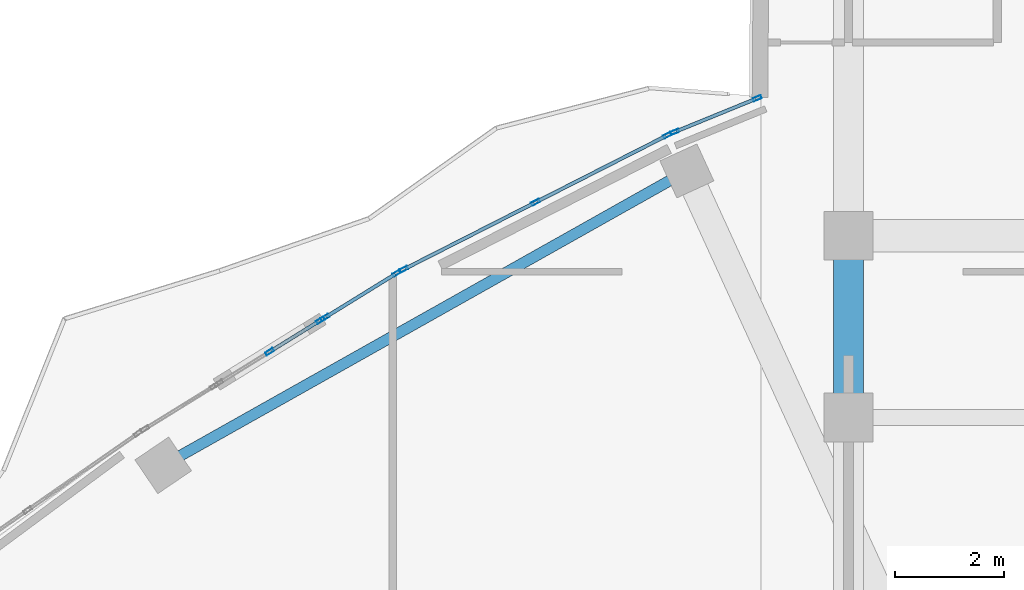
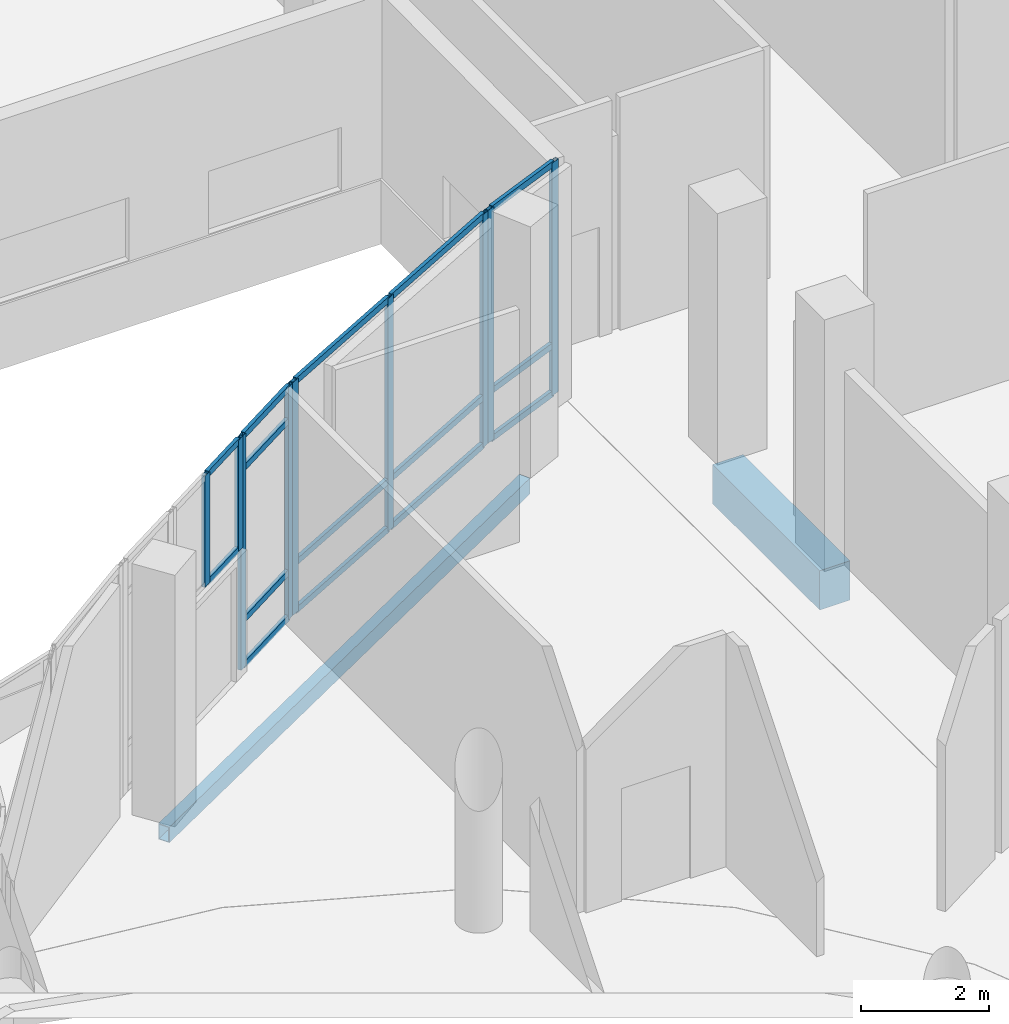
# One storey, part 90 of 168: 24 members, 2 beams, 4 elements without a shape of their own.
"""IFC4 building model written with IfcOpenShell, lengths in metres."""

from ifc_helpers import new_model, si_unit, direction, frame, origin, origin_2d, place, context, subcontext, project, spatial, rectangle, hollow_rectangle, extrude, material, material_profile, profile_set, type_object, element, aggregate, save


model = new_model("IFC4")

# Units and contexts
model_context = context("Model", 3, precision=1e-05, world=origin(), true_north=direction((0.0, 1.0)))
body_context = subcontext(model_context, "Body", "Model", "MODEL_VIEW")
ifc_project = project(units=[si_unit("LENGTHUNIT", "METRE"), si_unit("AREAUNIT", "SQUARE_METRE"), si_unit("VOLUMEUNIT", "CUBIC_METRE"), si_unit("PLANEANGLEUNIT", "RADIAN"), si_unit("MASSUNIT", "GRAM", prefix="KILO")], contexts=[model_context])

# Site, building, storey
site_placement = place(None, origin())
site = spatial("IfcSite", under=ifc_project, at=site_placement, CompositionType="ELEMENT")
building_placement = place(site_placement, origin())
building = spatial("IfcBuilding", under=site, at=building_placement, Name="Selatvlak General Hospital", CompositionType="ELEMENT")
storey_placement = place(building_placement, frame((0.0, 0.0, 5.39990234375)))
storey = spatial("IfcBuildingStorey", under=building, at=storey_placement, Name="L01", CompositionType="ELEMENT", Elevation=5.39990234375)

# Beams
ifc_material_1 = material(Name="Concrete C40/50", Category="concrete")
ifc_material_profile_1 = material_profile(ifc_material_1, rectangle(XDim=0.550048828125, YDim=0.75, at=origin_2d()), Name="RC-BM 550x750")
ifc_profile_set_1 = profile_set([ifc_material_profile_1], Name="Concrete C40/50")
beam_type_1 = type_object("IfcBeamType", Name="BM-G02", PredefinedType="BEAM", material=ifc_profile_set_1)
beam_1_placement = place(storey_placement, frame((115.199951171875, 72.64990234375, -0.69482421875), z_axis=(0.0, 1.0, 0.0), x_axis=(-1.0, 0.0, 0.0)))
element("IfcBeam", 1, at=beam_1_placement, inside=storey, type_object=beam_type_1, Name="Beam BMR-L01-0617", PredefinedType="BEAM", context=body_context, shape_type="SweptSolid", body=[
    extrude(rectangle(XDim=0.550048828125, YDim=0.75, at=origin_2d()), origin(), (0.0, 0.0, 1.0), 3.35009765625),
])
ifc_material_2 = material(Name="Steel S355", Category="steel")
ifc_material_profile_2 = material_profile(ifc_material_2, hollow_rectangle(XDim=0.199951171875, YDim=0.300048828125, WallThickness=0.011962890625, at=origin_2d()), Name="RHS 300x200x12")
ifc_profile_set_2 = profile_set([ifc_material_profile_2], Name="Steel S355")
beam_type_2 = type_object("IfcBeamType", Name="BM-SP3", PredefinedType="SPANDREL", material=ifc_profile_set_2)
beam_2_placement = place(storey_placement, frame((102.572998046875, 71.77001953125, -0.469970703125), z_axis=(0.871670941026, 0.490091594063, 0.0), x_axis=(-0.490091594063, 0.871670941026, 0.0)))
element("IfcBeam", 2, at=beam_2_placement, inside=storey, type_object=beam_type_2, Name="Beam BMR-L01-0743", PredefinedType="SPANDREL", context=body_context, shape_type="SweptSolid", body=[
    extrude(hollow_rectangle(XDim=0.199951171875, YDim=0.300048828125, WallThickness=0.011962890625, at=origin_2d()), origin(), (0.0, 0.0, 1.0), 11.069580078125),
])

# Curtain wall, members
ifc_material_3 = material(Name="Solar-control Low-E double glazing", Category="glass")
curtain_wall_type_1 = type_object("IfcCurtainWallType", Name="CW-CW-02", PredefinedType="USERDEFINED", material=ifc_material_3)
curtain_wall_1_placement = place(storey_placement, origin())
curtain_wall_1 = element("IfcCurtainWall", 3, at=curtain_wall_1_placement, inside=storey, type_object=curtain_wall_type_1, Name="Glazed facade curtain wall CW-L01-0221", ObjectType="UNITISED CURTAIN WALL", PredefinedType="USERDEFINED")
ifc_material_4 = material(Name="Dark anodised aluminium mullion", Category="aluminium")
ifc_material_profile_3 = material_profile(ifc_material_4, hollow_rectangle(XDim=0.06494140625, YDim=0.159912109375, WallThickness=0.00390625, at=origin_2d()), Name="AL-MUL 65x160x4")
ifc_profile_set_3 = profile_set([ifc_material_profile_3], Name="Dark anodised aluminium mullion")
member_type_1 = type_object("IfcMemberType", Name="CWM-01", PredefinedType="MULLION", material=ifc_profile_set_3)
member_1_placement = place(storey_placement, frame((104.533935546875, 73.863037109375, 2.320068359375), z_axis=(0.0, 0.0, 1.0), x_axis=(-0.526111885649, 0.850415359562, 0.0)))
member_1 = element("IfcMember", 4, at=member_1_placement, type_object=member_type_1, Name="CW-02 mullion 2", PredefinedType="MULLION", context=body_context, shape_type="SweptSolid", body=[
    extrude(hollow_rectangle(XDim=0.06494140625, YDim=0.159912109375, WallThickness=0.00390625, at=origin_2d()), origin(), (0.0, 0.0, 1.0), 2.125),
])
member_2_placement = place(storey_placement, frame((105.471435546875, 74.44287109375, 2.320068359375), z_axis=(0.0, 0.0, 1.0), x_axis=(-0.526111885649, 0.850415359562, 0.0)))
member_2 = element("IfcMember", 5, at=member_2_placement, type_object=member_type_1, Name="CW-02 mullion 3", PredefinedType="MULLION", context=body_context, shape_type="SweptSolid", body=[
    extrude(hollow_rectangle(XDim=0.06494140625, YDim=0.159912109375, WallThickness=0.00390625, at=origin_2d()), origin(), (0.0, 0.0, 1.0), 2.125),
])

curtain_wall_type_2 = type_object("IfcCurtainWallType", Name="CW-CW-01", PredefinedType="USERDEFINED", material=ifc_material_3)
curtain_wall_2_placement = place(storey_placement, origin())
curtain_wall_2 = element("IfcCurtainWall", 6, at=curtain_wall_2_placement, inside=storey, type_object=curtain_wall_type_2, Name="Glazed facade curtain wall CW-L01-0223", ObjectType="UNITISED CURTAIN WALL", PredefinedType="USERDEFINED")
member_3_placement = place(storey_placement, frame((105.552734375, 74.4931640625, 0.0), z_axis=(0.0, 0.0, 1.0), x_axis=(-0.525611082166, 0.850724979241, 0.0)))
member_3 = element("IfcMember", 7, at=member_3_placement, type_object=member_type_1, Name="CW-01 mullion 1", PredefinedType="MULLION", context=body_context, shape_type="SweptSolid", body=[
    extrude(hollow_rectangle(XDim=0.06494140625, YDim=0.159912109375, WallThickness=0.00390625, at=origin_2d()), origin(), (0.0, 0.0, 1.0), 4.445068359375),
])
member_4_placement = place(storey_placement, frame((106.87646484375, 75.31103515625, 0.0), z_axis=(0.0, 0.0, 1.0), x_axis=(-0.525611082166, 0.850724979241, 0.0)))
member_4 = element("IfcMember", 8, at=member_4_placement, type_object=member_type_1, Name="CW-01 mullion 2", PredefinedType="MULLION", context=body_context, shape_type="SweptSolid", body=[
    extrude(hollow_rectangle(XDim=0.06494140625, YDim=0.159912109375, WallThickness=0.00390625, at=origin_2d()), origin(), (0.0, 0.0, 1.0), 4.445068359375),
])

curtain_wall_3_placement = place(storey_placement, origin())
curtain_wall_3 = element("IfcCurtainWall", 9, at=curtain_wall_3_placement, inside=storey, type_object=curtain_wall_type_1, Name="Glazed facade curtain wall CW-L01-0224", ObjectType="UNITISED CURTAIN WALL", PredefinedType="USERDEFINED")
member_5_placement = place(storey_placement, frame((107.00390625, 75.380615234375, 0.0), z_axis=(0.0, 0.0, 1.0), x_axis=(-0.453361318983, 0.891326828077, 0.0)))
member_5 = element("IfcMember", 10, at=member_5_placement, type_object=member_type_1, Name="CW-02 mullion 1", PredefinedType="MULLION", context=body_context, shape_type="SweptSolid", body=[
    extrude(hollow_rectangle(XDim=0.06494140625, YDim=0.159912109375, WallThickness=0.00390625, at=origin_2d()), origin(), (0.0, 0.0, 1.0), 4.445068359375),
])
member_6_placement = place(storey_placement, frame((109.435546875, 76.617431640625, 0.0), z_axis=(0.0, 0.0, 1.0), x_axis=(-0.453361318983, 0.891326828077, 0.0)))
member_6 = element("IfcMember", 11, at=member_6_placement, type_object=member_type_1, Name="CW-02 mullion 2", PredefinedType="MULLION", context=body_context, shape_type="SweptSolid", body=[
    extrude(hollow_rectangle(XDim=0.06494140625, YDim=0.159912109375, WallThickness=0.00390625, at=origin_2d()), origin(), (0.0, 0.0, 1.0), 4.445068359375),
])
member_7_placement = place(storey_placement, frame((111.866943359375, 77.854248046875, 0.0), z_axis=(0.0, 0.0, 1.0), x_axis=(-0.453361318983, 0.891326828077, 0.0)))
member_7 = element("IfcMember", 12, at=member_7_placement, type_object=member_type_1, Name="CW-02 mullion 3", PredefinedType="MULLION", context=body_context, shape_type="SweptSolid", body=[
    extrude(hollow_rectangle(XDim=0.06494140625, YDim=0.159912109375, WallThickness=0.00390625, at=origin_2d()), origin(), (0.0, 0.0, 1.0), 4.445068359375),
])

curtain_wall_4_placement = place(storey_placement, origin())
curtain_wall_4 = element("IfcCurtainWall", 13, at=curtain_wall_4_placement, inside=storey, type_object=curtain_wall_type_2, Name="Glazed facade curtain wall CW-L01-0225", ObjectType="UNITISED CURTAIN WALL", PredefinedType="USERDEFINED")
member_8_placement = place(storey_placement, frame((111.9990234375, 77.913330078125, 0.0), z_axis=(0.0, 0.0, 1.0), x_axis=(-0.377948250587, 0.925826722383, 0.0)))
member_8 = element("IfcMember", 14, at=member_8_placement, type_object=member_type_1, Name="CW-01 mullion 1", PredefinedType="MULLION", context=body_context, shape_type="SweptSolid", body=[
    extrude(hollow_rectangle(XDim=0.06494140625, YDim=0.159912109375, WallThickness=0.00390625, at=origin_2d()), origin(), (0.0, 0.0, 1.0), 4.445068359375),
])
member_9_placement = place(storey_placement, frame((113.518798828125, 78.53369140625, 0.0), z_axis=(0.0, 0.0, 1.0), x_axis=(-0.377948250587, 0.925826722383, 0.0)))
member_9 = element("IfcMember", 15, at=member_9_placement, type_object=member_type_1, Name="CW-01 mullion 2", PredefinedType="MULLION", context=body_context, shape_type="SweptSolid", body=[
    extrude(hollow_rectangle(XDim=0.06494140625, YDim=0.159912109375, WallThickness=0.00390625, at=origin_2d()), origin(), (0.0, 0.0, 1.0), 4.445068359375),
])

# Member
ifc_material_profile_4 = material_profile(ifc_material_4, hollow_rectangle(XDim=0.06494140625, YDim=0.1201171875, WallThickness=0.00390625, at=origin_2d()), Name="AL-TRN 65x120x4")
ifc_profile_set_4 = profile_set([ifc_material_profile_4], Name="Dark anodised aluminium mullion")
member_type_2 = type_object("IfcMemberType", Name="CWT-01", PredefinedType="USERDEFINED", material=ifc_profile_set_4)
member_10_placement = place(storey_placement, frame((104.5615234375, 73.880126953125, 2.3525390625), z_axis=(0.850435657631, 0.526079074123, 0.0), x_axis=(-0.526079074123, 0.850435657631, 0.0)))
member_10 = element("IfcMember", 16, at=member_10_placement, type_object=member_type_2, Name="CW-02 transom 2.1", ObjectType="TRANSOM", PredefinedType="USERDEFINED", context=body_context, shape_type="SweptSolid", body=[
    extrude(hollow_rectangle(XDim=0.06494140625, YDim=0.1201171875, WallThickness=0.00390625, at=origin_2d()), origin(), (0.0, 0.0, 1.0), 1.037109375),
])

member_11_placement = place(storey_placement, frame((104.5615234375, 73.880126953125, 4.41259765625), z_axis=(0.850435657631, 0.526079074123, 0.0), x_axis=(-0.526079074123, 0.850435657631, 0.0)))
member_11 = element("IfcMember", 17, at=member_11_placement, type_object=member_type_2, Name="CW-02 transom 2.2", ObjectType="TRANSOM", PredefinedType="USERDEFINED", context=body_context, shape_type="SweptSolid", body=[
    extrude(hollow_rectangle(XDim=0.06494140625, YDim=0.1201171875, WallThickness=0.00390625, at=origin_2d()), origin(), (0.0, 0.0, 1.0), 1.037109375),
])

aggregate(curtain_wall_1, [member_1, member_2, member_10, member_11])

member_12_placement = place(storey_placement, frame((105.580322265625, 74.51025390625, 0.03271484375), z_axis=(0.850701084111, 0.525649755533, 0.0), x_axis=(-0.525649755533, 0.850701084111, 0.0)))
member_12 = element("IfcMember", 18, at=member_12_placement, type_object=member_type_2, Name="CW-01 transom 1.1", ObjectType="TRANSOM", PredefinedType="USERDEFINED", context=body_context, shape_type="SweptSolid", body=[
    extrude(hollow_rectangle(XDim=0.06494140625, YDim=0.1201171875, WallThickness=0.00390625, at=origin_2d()), origin(), (0.0, 0.0, 1.0), 1.490966796875),
])

member_13_placement = place(storey_placement, frame((105.580322265625, 74.51025390625, 0.900146484375), z_axis=(0.850701084111, 0.525649755533, 0.0), x_axis=(-0.525649755533, 0.850701084111, 0.0)))
member_13 = element("IfcMember", 19, at=member_13_placement, type_object=member_type_2, Name="CW-01 transom 1.2", ObjectType="TRANSOM", PredefinedType="USERDEFINED", context=body_context, shape_type="SweptSolid", body=[
    extrude(hollow_rectangle(XDim=0.06494140625, YDim=0.1201171875, WallThickness=0.00390625, at=origin_2d()), origin(), (0.0, 0.0, 1.0), 1.490966796875),
])

member_14_placement = place(storey_placement, frame((105.580322265625, 74.51025390625, 3.795166015625), z_axis=(0.850701084111, 0.525649755533, 0.0), x_axis=(-0.525649755533, 0.850701084111, 0.0)))
member_14 = element("IfcMember", 20, at=member_14_placement, type_object=member_type_2, Name="CW-01 transom 1.3", ObjectType="TRANSOM", PredefinedType="USERDEFINED", context=body_context, shape_type="SweptSolid", body=[
    extrude(hollow_rectangle(XDim=0.06494140625, YDim=0.1201171875, WallThickness=0.00390625, at=origin_2d()), origin(), (0.0, 0.0, 1.0), 1.490966796875),
])

member_15_placement = place(storey_placement, frame((105.580322265625, 74.51025390625, 4.41259765625), z_axis=(0.850701084111, 0.525649755533, 0.0), x_axis=(-0.525649755533, 0.850701084111, 0.0)))
member_15 = element("IfcMember", 21, at=member_15_placement, type_object=member_type_2, Name="CW-01 transom 1.4", ObjectType="TRANSOM", PredefinedType="USERDEFINED", context=body_context, shape_type="SweptSolid", body=[
    extrude(hollow_rectangle(XDim=0.06494140625, YDim=0.1201171875, WallThickness=0.00390625, at=origin_2d()), origin(), (0.0, 0.0, 1.0), 1.490966796875),
])

aggregate(curtain_wall_2, [member_3, member_4, member_12, member_13, member_14, member_15])

member_16_placement = place(storey_placement, frame((107.032958984375, 75.3955078125, 0.03271484375), z_axis=(0.891325480474, 0.453363968416, 0.0), x_axis=(-0.453363968416, 0.891325480474, 0.0)))
member_16 = element("IfcMember", 22, at=member_16_placement, type_object=member_type_2, Name="CW-02 transom 1.1", ObjectType="TRANSOM", PredefinedType="USERDEFINED", context=body_context, shape_type="SweptSolid", body=[
    extrude(hollow_rectangle(XDim=0.06494140625, YDim=0.1201171875, WallThickness=0.00390625, at=origin_2d()), origin(), (0.0, 0.0, 1.0), 2.662841796875),
])

member_17_placement = place(storey_placement, frame((107.032958984375, 75.3955078125, 0.9501953125), z_axis=(0.891325480474, 0.453363968416, 0.0), x_axis=(-0.453363968416, 0.891325480474, 0.0)))
member_17 = element("IfcMember", 23, at=member_17_placement, type_object=member_type_2, Name="CW-02 transom 1.2", ObjectType="TRANSOM", PredefinedType="USERDEFINED", context=body_context, shape_type="SweptSolid", body=[
    extrude(hollow_rectangle(XDim=0.06494140625, YDim=0.1201171875, WallThickness=0.00390625, at=origin_2d()), origin(), (0.0, 0.0, 1.0), 2.662841796875),
])

member_18_placement = place(storey_placement, frame((107.032958984375, 75.3955078125, 4.41259765625), z_axis=(0.891325480474, 0.453363968416, 0.0), x_axis=(-0.453363968416, 0.891325480474, 0.0)))
member_18 = element("IfcMember", 24, at=member_18_placement, type_object=member_type_2, Name="CW-02 transom 1.3", ObjectType="TRANSOM", PredefinedType="USERDEFINED", context=body_context, shape_type="SweptSolid", body=[
    extrude(hollow_rectangle(XDim=0.06494140625, YDim=0.1201171875, WallThickness=0.00390625, at=origin_2d()), origin(), (0.0, 0.0, 1.0), 2.662841796875),
])

member_19_placement = place(storey_placement, frame((109.46435546875, 76.63232421875, 0.03271484375), z_axis=(0.891344322234, 0.453326923115, 0.0), x_axis=(-0.453326923115, 0.891344322234, 0.0)))
member_19 = element("IfcMember", 25, at=member_19_placement, type_object=member_type_2, Name="CW-02 transom 2.1", ObjectType="TRANSOM", PredefinedType="USERDEFINED", context=body_context, shape_type="SweptSolid", body=[
    extrude(hollow_rectangle(XDim=0.06494140625, YDim=0.1201171875, WallThickness=0.00390625, at=origin_2d()), origin(), (0.0, 0.0, 1.0), 2.6630859375),
])

member_20_placement = place(storey_placement, frame((109.46435546875, 76.63232421875, 0.9501953125), z_axis=(0.891344322234, 0.453326923115, 0.0), x_axis=(-0.453326923115, 0.891344322234, 0.0)))
member_20 = element("IfcMember", 26, at=member_20_placement, type_object=member_type_2, Name="CW-02 transom 2.2", ObjectType="TRANSOM", PredefinedType="USERDEFINED", context=body_context, shape_type="SweptSolid", body=[
    extrude(hollow_rectangle(XDim=0.06494140625, YDim=0.1201171875, WallThickness=0.00390625, at=origin_2d()), origin(), (0.0, 0.0, 1.0), 2.6630859375),
])

member_21_placement = place(storey_placement, frame((109.46435546875, 76.63232421875, 4.41259765625), z_axis=(0.891344322234, 0.453326923115, 0.0), x_axis=(-0.453326923115, 0.891344322234, 0.0)))
member_21 = element("IfcMember", 27, at=member_21_placement, type_object=member_type_2, Name="CW-02 transom 2.3", ObjectType="TRANSOM", PredefinedType="USERDEFINED", context=body_context, shape_type="SweptSolid", body=[
    extrude(hollow_rectangle(XDim=0.06494140625, YDim=0.1201171875, WallThickness=0.00390625, at=origin_2d()), origin(), (0.0, 0.0, 1.0), 2.6630859375),
])

aggregate(curtain_wall_3, [member_5, member_6, member_7, member_16, member_17, member_18, member_19, member_20, member_21])

member_22_placement = place(storey_placement, frame((112.029296875, 77.925537109375, 0.03271484375), z_axis=(0.925793450166, 0.378029744372, 0.0), x_axis=(-0.378029744372, 0.925793450166, 0.0)))
member_22 = element("IfcMember", 28, at=member_22_placement, type_object=member_type_2, Name="CW-01 transom 1.1", ObjectType="TRANSOM", PredefinedType="USERDEFINED", context=body_context, shape_type="SweptSolid", body=[
    extrude(hollow_rectangle(XDim=0.06494140625, YDim=0.1201171875, WallThickness=0.00390625, at=origin_2d()), origin(), (0.0, 0.0, 1.0), 1.576416015625),
])

member_23_placement = place(storey_placement, frame((112.029296875, 77.925537109375, 0.9501953125), z_axis=(0.925793450166, 0.378029744372, 0.0), x_axis=(-0.378029744372, 0.925793450166, 0.0)))
member_23 = element("IfcMember", 29, at=member_23_placement, type_object=member_type_2, Name="CW-01 transom 1.2", ObjectType="TRANSOM", PredefinedType="USERDEFINED", context=body_context, shape_type="SweptSolid", body=[
    extrude(hollow_rectangle(XDim=0.06494140625, YDim=0.1201171875, WallThickness=0.00390625, at=origin_2d()), origin(), (0.0, 0.0, 1.0), 1.576416015625),
])

member_24_placement = place(storey_placement, frame((112.029296875, 77.925537109375, 4.41259765625), z_axis=(0.925793450166, 0.378029744372, 0.0), x_axis=(-0.378029744372, 0.925793450166, 0.0)))
member_24 = element("IfcMember", 30, at=member_24_placement, type_object=member_type_2, Name="CW-01 transom 1.3", ObjectType="TRANSOM", PredefinedType="USERDEFINED", context=body_context, shape_type="SweptSolid", body=[
    extrude(hollow_rectangle(XDim=0.06494140625, YDim=0.1201171875, WallThickness=0.00390625, at=origin_2d()), origin(), (0.0, 0.0, 1.0), 1.576416015625),
])

aggregate(curtain_wall_4, [member_8, member_9, member_22, member_23, member_24])

save(model, "model.ifc")
